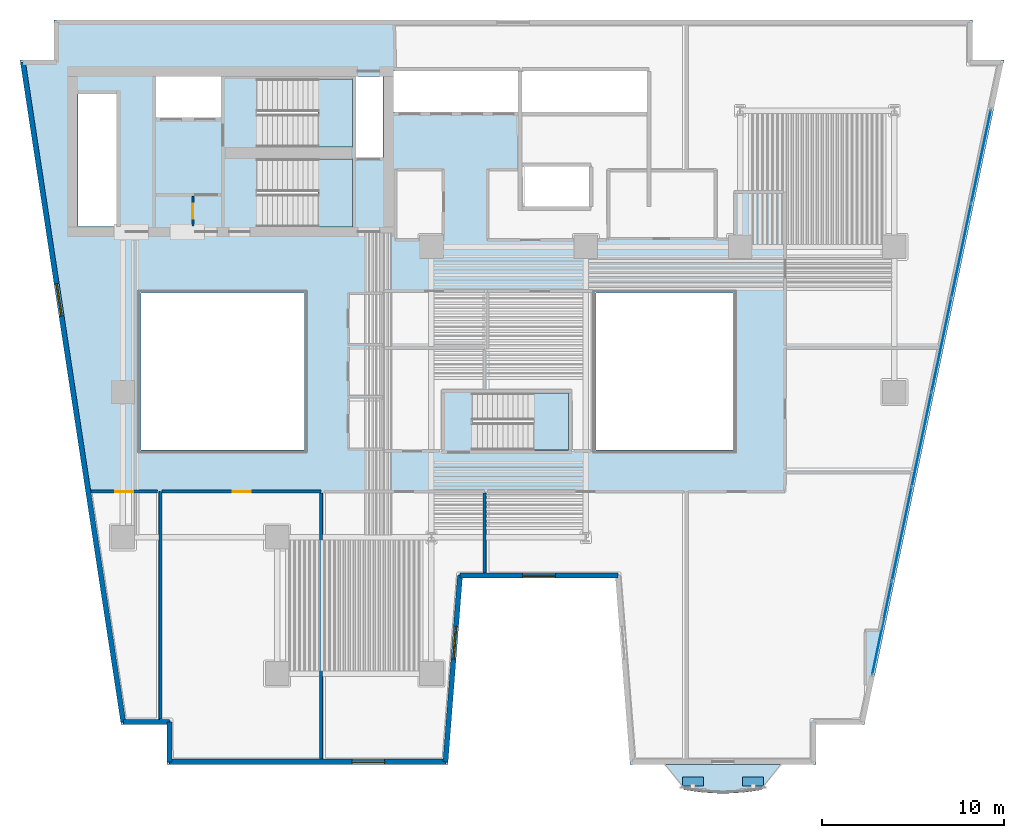
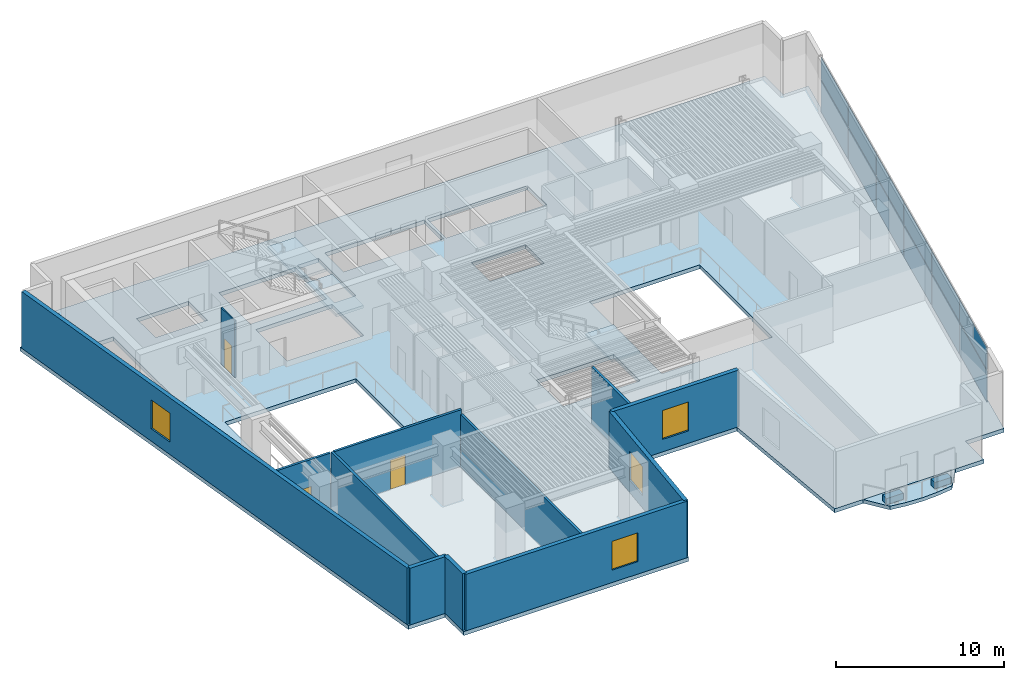
# One storey, part 3 of 12: 14 plates, 12 walls, 5 slabs, 4 windows, 3 doors, 7 openings, 4 elements without a shape of their own.
"""IFC4 building model written with IfcOpenShell, lengths in metres."""

import ifcopenshell
import ifcopenshell.guid

model = None  # the IFC model being written
_history = None  # IfcOwnerHistory: only IFC2X3 demands one
_inside = {}  # id of a spatial element -> (the spatial element, [elements in it])
_under = {}  # id of a project, library or spatial element -> (it, [spatial elements below it])
_declared = {}  # id of a project -> (the project, [libraries it declares])
_typed = {}  # id of a type object -> (the type object, [elements of that type])
_made_of = {}  # id of a material, layer set ... -> (it, [elements and type objects made of it])


def new_model(schema):
    """Start an empty IFC model of exactly this schema.

    Asked for "IFC4X3", IfcOpenShell would pick the latest addendum, in which some entities
    have other attributes; the version numbers below select the first issue.
    IFC2X3 requires an IfcOwnerHistory on every rooted entity: one is made here for all.
    """
    global model, _history
    if schema == "IFC4X3":
        model = ifcopenshell.file(schema_version=(4, 3, 0, 0))
    else:
        model = ifcopenshell.file(schema=schema)
    _inside.clear()
    _under.clear()
    _declared.clear()
    _typed.clear()
    _made_of.clear()
    _history = None
    if model.schema == "IFC2X3":
        org = make("IfcOrganization", Name="unknown")
        user = make(
            "IfcPersonAndOrganization",
            ThePerson=make("IfcPerson", FamilyName="unknown"),
            TheOrganization=org,
        )
        app = make(
            "IfcApplication",
            ApplicationDeveloper=org,
            Version="unknown",
            ApplicationFullName="unknown",
            ApplicationIdentifier="unknown",
        )
        _history = make(
            "IfcOwnerHistory",
            OwningUser=user,
            OwningApplication=app,
            ChangeAction="ADDED",
            CreationDate=0,
        )
    return model


def make(cls, **values):
    """One entity of the class cls with the attributes given. An attribute that is None is left unset."""
    return model.create_entity(
        cls, **{name: value for name, value in values.items() if value is not None}
    )


def rooted(cls, **values):
    """An entity with a GlobalId (a new one), such as an element, a storey or a relation."""
    return make(cls, GlobalId=ifcopenshell.guid.new(), OwnerHistory=_history, **values)


def si_unit(unit_type, name, prefix=None):
    """IfcSIUnit, for example si_unit("LENGTHUNIT", "METRE", prefix="MILLI")."""
    return make("IfcSIUnit", UnitType=unit_type, Prefix=prefix, Name=name)


def assignment(units):
    """IfcUnitAssignment: the units of a project."""
    return None if units is None else make("IfcUnitAssignment", Units=units)


def point(xyz):
    """IfcCartesianPoint."""
    return None if xyz is None else make("IfcCartesianPoint", Coordinates=xyz)


def direction(xyz):
    """IfcDirection."""
    return None if xyz is None else make("IfcDirection", DirectionRatios=xyz)


def frame(location, z_axis=None, x_axis=None):
    """IfcAxis2Placement3D, a coordinate frame: its origin and axes. An axis left out is left unset."""
    return make(
        "IfcAxis2Placement3D",
        Location=point(location),
        Axis=direction(z_axis),
        RefDirection=direction(x_axis),
    )


def frame_2d(location, x_axis=None):
    """IfcAxis2Placement2D, a coordinate frame in the plane: its origin and x axis."""
    return make(
        "IfcAxis2Placement2D", Location=point(location), RefDirection=direction(x_axis)
    )


def origin():
    """The frame at (0, 0, 0) with its axes left unset."""
    return frame((0.0, 0.0, 0.0))


def origin_2d():
    """The frame at (0, 0) in the plane with its x axis left unset."""
    return frame_2d((0.0, 0.0))


def place(relative_to, where):
    """IfcLocalPlacement: puts the frame where relative to a parent placement (None: the world)."""
    return make(
        "IfcLocalPlacement", PlacementRelTo=relative_to, RelativePlacement=where
    )


def context(
    kind, dimensions, precision=None, world=None, true_north=None, identifier=None
):
    """IfcGeometricRepresentationContext, for example the 3D "Model" context."""
    return make(
        "IfcGeometricRepresentationContext",
        ContextIdentifier=identifier,
        ContextType=kind,
        CoordinateSpaceDimension=dimensions,
        Precision=precision,
        WorldCoordinateSystem=world,
        TrueNorth=true_north,
    )


def subcontext(parent, identifier, kind, view, scale=None):
    """IfcGeometricRepresentationSubContext, for example "Body" below "Model"."""
    return make(
        "IfcGeometricRepresentationSubContext",
        ContextIdentifier=identifier,
        ContextType=kind,
        ParentContext=parent,
        TargetScale=scale,
        TargetView=view,
    )


def project(units=None, contexts=None):
    """IfcProject with its units and contexts."""
    return rooted(
        "IfcProject",
        Name="project",
        RepresentationContexts=contexts,
        UnitsInContext=assignment(units),
    )


def spatial(cls, under=None, at=None, **own):
    """A site, building, storey or space (cls), placed at a placement, below another one or the project."""
    s = rooted(cls, ObjectPlacement=at, **own)
    if under is not None:
        _under.setdefault(under.id(), (under, []))[1].append(s)
    return s


def polyline(points):
    """IfcPolyline through the points."""
    return make("IfcPolyline", Points=[point(p) for p in points])


def profile(cls, at=None, kind="AREA", **sizes):
    """A parametric profile (cls). Its sizes go by their IFC names, for example OverallWidth=200.0."""
    return make(cls, ProfileType=kind, Position=at, **sizes)


def rectangle(**sizes):
    """IfcRectangleProfileDef."""
    return profile("IfcRectangleProfileDef", **sizes)


def outline(outer, holes=None, kind="AREA"):
    """IfcArbitraryClosedProfileDef: a profile drawn as a closed curve; with holes, ...WithVoids."""
    if holes is None:
        return make("IfcArbitraryClosedProfileDef", ProfileType=kind, OuterCurve=outer)
    return make(
        "IfcArbitraryProfileDefWithVoids",
        ProfileType=kind,
        OuterCurve=outer,
        InnerCurves=holes,
    )


def extrude(swept, where, along, depth):
    """IfcExtrudedAreaSolid: the profile swept, set in the frame where, extruded along a direction by depth."""
    return make(
        "IfcExtrudedAreaSolid",
        SweptArea=swept,
        Position=where,
        ExtrudedDirection=direction(along),
        Depth=depth,
    )


def shape(context_of_items, identifier, shape_type, items):
    """IfcShapeRepresentation: the items that make up one representation, for example the "Body"."""
    return make(
        "IfcShapeRepresentation",
        ContextOfItems=context_of_items,
        RepresentationIdentifier=identifier,
        RepresentationType=shape_type,
        Items=items,
    )


def material(Name=None, Category=None):
    """IfcMaterial."""
    return make("IfcMaterial", Name=Name, Category=Category)


def layer(
    of_material, thickness, ventilated=None, Name=None, Category=None, Priority=None
):
    """IfcMaterialLayer: one layer of a wall or slab, of a material (None: an air gap)."""
    return make(
        "IfcMaterialLayer",
        Material=of_material,
        LayerThickness=thickness,
        IsVentilated=ventilated,
        Name=Name,
        Category=Category,
        Priority=Priority,
    )


def layer_set(layers, Name=None):
    """IfcMaterialLayerSet."""
    return make("IfcMaterialLayerSet", MaterialLayers=layers, LayerSetName=Name)


def made_of(thing, what):
    """Note that an element or type object is made of a material, layer set ...; save() writes the relation."""
    if what is not None:
        _made_of.setdefault(what.id(), (what, []))[1].append(thing)
    return thing


def type_object(cls, material=None, **own):
    """A type object (cls), such as IfcWallType, which elements share."""
    return made_of(rooted(cls, **own), material)


def element(
    cls,
    number,
    at=None,
    inside=None,
    cuts=None,
    type_object=None,
    material=None,
    context=None,
    identifier="Body",
    shape_type=None,
    held_by="IfcProductDefinitionShape",
    body=None,
    shapes=None,
    **own,
):
    """One element of the class cls, such as IfcWall. Its Tag is "e" and its number.

    at: its placement. inside: the storey or other place that contains it. cuts: it is an
    opening in that element (IfcRelVoidsElement). A single representation is given by context,
    identifier, shape_type and body (its items); several are given by shapes. held_by: the class
    of the entity that holds the representations. save() writes the other relations.
    """
    e = rooted(cls, Tag="e%d" % number, ObjectPlacement=at, **own)
    if body is not None:
        shapes = [shape(context, identifier, shape_type, body)]
    if shapes is not None:
        e.Representation = make(held_by, Representations=shapes)
    if inside is not None:
        _inside.setdefault(inside.id(), (inside, []))[1].append(e)
    if cuts is not None:
        rooted(
            "IfcRelVoidsElement", RelatingBuildingElement=cuts, RelatedOpeningElement=e
        )
    if type_object is not None:
        _typed.setdefault(type_object.id(), (type_object, []))[1].append(e)
    return made_of(e, material)


def fill(opening, filler):
    """IfcRelFillsElement: the door or window that sits in an opening."""
    return rooted(
        "IfcRelFillsElement",
        RelatingOpeningElement=opening,
        RelatedBuildingElement=filler,
    )


def aggregate(whole, parts):
    """IfcRelAggregates: a whole, such as a stair, and the parts it consists of."""
    return rooted("IfcRelAggregates", RelatingObject=whole, RelatedObjects=parts)


def save(model, path):
    """Write the relations noted so far, then the file.

    IfcRelAggregates (storeys below a building ...), IfcRelContainedInSpatialStructure (elements
    in a storey), IfcRelDefinesByType, IfcRelAssociatesMaterial and IfcRelDeclares: one each for
    every whole, place, type object, material and project.
    """
    for whole, parts in _under.values():
        aggregate(whole, parts)
    for where, things in _inside.values():
        rooted(
            "IfcRelContainedInSpatialStructure",
            RelatedElements=things,
            RelatingStructure=where,
        )
    for kind, things in _typed.values():
        rooted("IfcRelDefinesByType", RelatedObjects=things, RelatingType=kind)
    for what, things in _made_of.values():
        rooted("IfcRelAssociatesMaterial", RelatedObjects=things, RelatingMaterial=what)
    for by, libraries in _declared.values():
        rooted("IfcRelDeclares", RelatingContext=by, RelatedDefinitions=libraries)
    model.write(path)


model = new_model("IFC4")

# Units and contexts
model_context = context("Model", 3, precision=1e-05, world=origin(), true_north=direction((0.0, 1.0)))
body_context = subcontext(model_context, "Body", "Model", "MODEL_VIEW")
ifc_project = project(units=[si_unit("LENGTHUNIT", "METRE"), si_unit("AREAUNIT", "SQUARE_METRE"), si_unit("VOLUMEUNIT", "CUBIC_METRE"), si_unit("PLANEANGLEUNIT", "RADIAN"), si_unit("MASSUNIT", "GRAM", prefix="KILO")], contexts=[model_context])

# Site, building, storey
site_placement = place(None, origin())
site = spatial("IfcSite", under=ifc_project, at=site_placement, CompositionType="ELEMENT")
building_placement = place(site_placement, origin())
building = spatial("IfcBuilding", under=site, at=building_placement, Name="Caeloran Harvest Quay", CompositionType="ELEMENT")
storey_placement = place(building_placement, frame((0.0, 0.0, 79.800048828125)))
storey = spatial("IfcBuildingStorey", under=building, at=storey_placement, Name="L18", CompositionType="ELEMENT", Elevation=79.800048828125)

# Slab
ifc_material_1 = material(Name="Concrete C50/60", Category="concrete")
ifc_layer_1 = layer(ifc_material_1, 0.260009765625, Name="Concrete C50/60")
ifc_layer_set_1 = layer_set([ifc_layer_1], Name="Concrete C50/60")
slab_type_1 = type_object("IfcSlabType", Name="BALCONY-BL-260", PredefinedType="FLOOR", material=ifc_layer_set_1)
slab_1_placement = place(storey_placement, frame((0.0, 0.0, -0.260009765625)))
element("IfcSlab", 1, at=slab_1_placement, inside=storey, type_object=slab_type_1, Name="L18 Scalloped Cantilevered Planted Balcony Slab", PredefinedType="FLOOR", context=body_context, shape_type="SweptSolid", body=[
    extrude(outline(polyline([(43.686767578125, 1.090087890625), (42.622802734375, 0.943603515625), (41.55859375, 0.889892578125), (40.494384765625, 0.943603515625), (39.43017578125, 1.090087890625), (38.380859375, 2.5), (44.736083984375, 2.5), (43.686767578125, 1.090087890625)])), origin(), (0.0, 0.0, 1.0), 0.260009765625),
])

# Curtain wall, plates
ifc_material_2 = material(Name="Aluminium 6063-T6 and Low-E Glazing", Category="aluminium")
ifc_layer_2 = layer(ifc_material_2, 0.199951171875, Name="Aluminium 6063-T6 and Low-E Glazing")
ifc_layer_set_2 = layer_set([ifc_layer_2], Name="Aluminium 6063-T6 and Low-E Glazing")
curtain_wall_type = type_object("IfcCurtainWallType", Name="CW-SYS-CW-2", PredefinedType="USERDEFINED", material=ifc_layer_set_2)
curtain_wall_placement = place(storey_placement, origin())
curtain_wall = element("IfcCurtainWall", 2, at=curtain_wall_placement, inside=storey, type_object=curtain_wall_type, Name="L18 Unitised Curtain Wall CW-2 Run 9", ObjectType="CURTAIN_WALL", PredefinedType="USERDEFINED")
ifc_material_3 = material(Name="Low-E Double Glazed Vision Glass Unit", Category="glass")
ifc_layer_3 = layer(ifc_material_3, 0.035888671875, Name="Low-E Double Glazed Vision Glass Unit")
ifc_layer_set_3 = layer_set([ifc_layer_3], Name="Low-E Double Glazed Vision Glass Unit")
plate_type_1 = type_object("IfcPlateType", Name="CW-VISION-PANEL", PredefinedType="CURTAIN_PANEL", material=ifc_layer_set_3)
plate_1_placement = place(storey_placement, frame((55.780029296875, 35.993408203125, 0.080078125), z_axis=(0.0, 0.0, 1.0), x_axis=(-0.205582960081, -0.978639691881, 0.0)))
plate_1 = element("IfcPlate", 3, at=plate_1_placement, type_object=plate_type_1, Name="CW-2 panel 1.1", PredefinedType="CURTAIN_PANEL", context=body_context, shape_type="SweptSolid", body=[
    extrude(rectangle(XDim=5.19873046875, YDim=0.035888671875, at=origin_2d()), origin(), (0.0, 0.0, 1.0), 2.280029296875),
])
plate_2_placement = place(storey_placement, frame((55.780029296875, 35.993408203125, 2.43994140625), z_axis=(0.0, 0.0, 1.0), x_axis=(-0.205582960081, -0.978639691881, 0.0)))
plate_2 = element("IfcPlate", 4, at=plate_2_placement, type_object=plate_type_1, Name="CW-2 panel 1.2", PredefinedType="CURTAIN_PANEL", context=body_context, shape_type="SweptSolid", body=[
    extrude(rectangle(XDim=5.19873046875, YDim=0.035888671875, at=origin_2d()), origin(), (0.0, 0.0, 1.0), 1.594970703125),
])
plate_3_placement = place(storey_placement, frame((54.690673828125, 30.807861328125, 0.080078125), z_axis=(0.0, 0.0, 1.0), x_axis=(-0.205582960081, -0.978639691881, 0.0)))
plate_3 = element("IfcPlate", 5, at=plate_3_placement, type_object=plate_type_1, Name="CW-2 panel 2.1", PredefinedType="CURTAIN_PANEL", context=body_context, shape_type="SweptSolid", body=[
    extrude(rectangle(XDim=5.23876953125, YDim=0.035888671875, at=origin_2d()), origin(), (0.0, 0.0, 1.0), 2.280029296875),
])
plate_4_placement = place(storey_placement, frame((54.690673828125, 30.807861328125, 2.43994140625), z_axis=(0.0, 0.0, 1.0), x_axis=(-0.205582960081, -0.978639691881, 0.0)))
plate_4 = element("IfcPlate", 6, at=plate_4_placement, type_object=plate_type_1, Name="CW-2 panel 2.2", PredefinedType="CURTAIN_PANEL", context=body_context, shape_type="SweptSolid", body=[
    extrude(rectangle(XDim=5.23876953125, YDim=0.035888671875, at=origin_2d()), origin(), (0.0, 0.0, 1.0), 1.594970703125),
])
plate_5_placement = place(storey_placement, frame((53.59716796875, 25.6025390625, 0.080078125), z_axis=(0.0, 0.0, 1.0), x_axis=(-0.205582960081, -0.978639691881, 0.0)))
plate_5 = element("IfcPlate", 7, at=plate_5_placement, type_object=plate_type_1, Name="CW-2 panel 3.1", PredefinedType="CURTAIN_PANEL", context=body_context, shape_type="SweptSolid", body=[
    extrude(rectangle(XDim=5.23876953125, YDim=0.035888671875, at=origin_2d()), origin(), (0.0, 0.0, 1.0), 2.280029296875),
])
plate_6_placement = place(storey_placement, frame((53.59716796875, 25.6025390625, 2.43994140625), z_axis=(0.0, 0.0, 1.0), x_axis=(-0.205582960081, -0.978639691881, 0.0)))
plate_6 = element("IfcPlate", 8, at=plate_6_placement, type_object=plate_type_1, Name="CW-2 panel 3.2", PredefinedType="CURTAIN_PANEL", context=body_context, shape_type="SweptSolid", body=[
    extrude(rectangle(XDim=5.23876953125, YDim=0.035888671875, at=origin_2d()), origin(), (0.0, 0.0, 1.0), 1.594970703125),
])
plate_7_placement = place(storey_placement, frame((52.503662109375, 20.3974609375, 0.080078125), z_axis=(0.0, 0.0, 1.0), x_axis=(-0.205582960081, -0.978639691881, 0.0)))
plate_7 = element("IfcPlate", 9, at=plate_7_placement, type_object=plate_type_1, Name="CW-2 panel 4.1", PredefinedType="CURTAIN_PANEL", context=body_context, shape_type="SweptSolid", body=[
    extrude(rectangle(XDim=5.23876953125, YDim=0.035888671875, at=origin_2d()), origin(), (0.0, 0.0, 1.0), 2.280029296875),
])
plate_8_placement = place(storey_placement, frame((52.503662109375, 20.3974609375, 2.43994140625), z_axis=(0.0, 0.0, 1.0), x_axis=(-0.205582960081, -0.978639691881, 0.0)))
plate_8 = element("IfcPlate", 10, at=plate_8_placement, type_object=plate_type_1, Name="CW-2 panel 4.2", PredefinedType="CURTAIN_PANEL", context=body_context, shape_type="SweptSolid", body=[
    extrude(rectangle(XDim=5.23876953125, YDim=0.035888671875, at=origin_2d()), origin(), (0.0, 0.0, 1.0), 1.594970703125),
])
plate_9_placement = place(storey_placement, frame((51.41015625, 15.192138671875, 0.080078125), z_axis=(0.0, 0.0, 1.0), x_axis=(-0.205582960081, -0.978639691881, 0.0)))
plate_9 = element("IfcPlate", 11, at=plate_9_placement, type_object=plate_type_1, Name="CW-2 panel 5.1", PredefinedType="CURTAIN_PANEL", context=body_context, shape_type="SweptSolid", body=[
    extrude(rectangle(XDim=5.23876953125, YDim=0.035888671875, at=origin_2d()), origin(), (0.0, 0.0, 1.0), 2.280029296875),
])
plate_10_placement = place(storey_placement, frame((51.41015625, 15.192138671875, 2.43994140625), z_axis=(0.0, 0.0, 1.0), x_axis=(-0.205582960081, -0.978639691881, 0.0)))
plate_10 = element("IfcPlate", 12, at=plate_10_placement, type_object=plate_type_1, Name="CW-2 panel 5.2", PredefinedType="CURTAIN_PANEL", context=body_context, shape_type="SweptSolid", body=[
    extrude(rectangle(XDim=5.23876953125, YDim=0.035888671875, at=origin_2d()), origin(), (0.0, 0.0, 1.0), 1.594970703125),
])
plate_11_placement = place(storey_placement, frame((50.321044921875, 10.006591796875, 0.080078125), z_axis=(0.0, 0.0, 1.0), x_axis=(-0.205582960081, -0.978639691881, 0.0)))
plate_11 = element("IfcPlate", 13, at=plate_11_placement, type_object=plate_type_1, Name="CW-2 panel 6.1", PredefinedType="CURTAIN_PANEL", context=body_context, shape_type="SweptSolid", body=[
    extrude(rectangle(XDim=5.19873046875, YDim=0.035888671875, at=origin_2d()), origin(), (0.0, 0.0, 1.0), 2.280029296875),
])
plate_12_placement = place(storey_placement, frame((50.321044921875, 10.006591796875, 2.43994140625), z_axis=(0.0, 0.0, 1.0), x_axis=(-0.205582960081, -0.978639691881, 0.0)))
plate_12 = element("IfcPlate", 14, at=plate_12_placement, type_object=plate_type_1, Name="CW-2 panel 6.2", PredefinedType="CURTAIN_PANEL", context=body_context, shape_type="SweptSolid", body=[
    extrude(rectangle(XDim=5.19873046875, YDim=0.035888671875, at=origin_2d()), origin(), (0.0, 0.0, 1.0), 1.594970703125),
])
aggregate(curtain_wall, [plate_1, plate_2, plate_3, plate_4, plate_5, plate_6, plate_7, plate_8, plate_9, plate_10, plate_11, plate_12])

# Plates
ifc_material_4 = material(Name="Precast concrete C50/60", Category="concrete")
ifc_layer_4 = layer(ifc_material_4, 0.449951171875, Name="Precast concrete C50/60")
ifc_layer_set_4 = layer_set([ifc_layer_4], Name="Precast concrete C50/60")
plate_type_2 = type_object("IfcPlateType", Name="PLANTER-TROUGH-450", PredefinedType="USERDEFINED", material=ifc_layer_set_4)
for number, where, z_axis, x_axis, name in (
    (15, (43.218505859375, 1.554931640625, 0.0), (0.0, 0.0, 1.0), (1.0, 0.0, 0.0), "L18 Balcony Vertical-Greenery Precast PLANTER Trough 1"),
    (16, (39.8984375, 1.554931640625, 0.0), (0.0, 0.0, 1.0), (1.0, 0.0, 0.0), "L18 Balcony Vertical-Greenery Precast PLANTER Trough 2"),
):
    element("IfcPlate", number, at=place(storey_placement, frame(where, z_axis=z_axis, x_axis=x_axis)), inside=storey, type_object=plate_type_2, Name=name, ObjectType="PLANTER", PredefinedType="USERDEFINED", context=body_context, shape_type="SweptSolid", body=[
        extrude(rectangle(XDim=1.14990234375, YDim=0.47998046875, at=origin_2d()), origin(), (0.0, 0.0, 1.0), 0.449951171875),
    ])

# Slab
ifc_layer_5 = layer(ifc_material_1, 0.284912109375, Name="Concrete C50/60")
ifc_layer_set_5 = layer_set([ifc_layer_5], Name="Concrete C50/60")
slab_type_2 = type_object("IfcSlabType", Name="SLAB-FS-285", PredefinedType="FLOOR", material=ifc_layer_set_5)
slab_2_placement = place(storey_placement, frame((0.0, 0.0, -0.28515625)))
element("IfcSlab", 17, at=slab_2_placement, inside=storey, type_object=slab_type_2, Name="L18 Structural Floor Slab", PredefinedType="FLOOR", context=body_context, shape_type="SweptSolid", body=[
    extrude(outline(polyline([(10.93701171875, 2.5), (26.403076171875, 2.5), (27.202880859375, 12.75), (35.640380859375, 12.75), (36.4404296875, 2.5), (46.68701171875, 2.5), (46.68701171875, 4.699951171875), (49.34912109375, 4.699951171875), (57.037841796875, 41.300048828125), (55.300048828125, 41.300048828125), (55.300048828125, 43.5), (4.699951171875, 43.5), (4.699951171875, 41.300048828125), (2.834716796875, 41.300048828125), (8.40234375, 4.699951171875), (10.93701171875, 4.699951171875), (10.93701171875, 2.5)]), holes=[polyline([(18.5, 19.800048828125), (9.5, 19.800048828125), (9.5, 28.449951171875), (18.5, 28.449951171875), (18.5, 19.800048828125)]), polyline([(15.89990234375, 32.10009765625), (15.89990234375, 35.85009765625), (21.14990234375, 35.85009765625), (21.14990234375, 32.10009765625), (15.89990234375, 32.10009765625)]), polyline([(8.159912109375, 32.1201171875), (6.02001953125, 32.1201171875), (6.02001953125, 39.419921875), (8.159912109375, 39.419921875), (8.159912109375, 32.1201171875)]), polyline([(21.35009765625, 35.919921875), (21.35009765625, 40.3798828125), (22.830078125, 40.3798828125), (22.830078125, 35.919921875), (21.35009765625, 35.919921875)]), polyline([(15.89990234375, 40.25), (21.14990234375, 40.25), (21.14990234375, 36.5), (15.89990234375, 36.5), (15.89990234375, 40.25)]), polyline([(13.89990234375, 38.1201171875), (10.320068359375, 38.1201171875), (10.320068359375, 40.3798828125), (13.89990234375, 40.3798828125), (13.89990234375, 38.1201171875)]), polyline([(27.75, 22.949951171875), (33.050048828125, 22.949951171875), (33.050048828125, 19.800048828125), (27.75, 19.800048828125), (27.75, 22.949951171875)]), polyline([(34.550048828125, 19.800048828125), (34.550048828125, 28.449951171875), (42.14990234375, 28.449951171875), (42.14990234375, 19.800048828125), (34.550048828125, 19.800048828125)]), polyline([(34.199951171875, 33.219970703125), (30.47998046875, 33.219970703125), (30.47998046875, 35.429931640625), (34.199951171875, 35.429931640625), (34.199951171875, 33.219970703125)]), polyline([(23.419921875, 38.419921875), (23.419921875, 40.679931640625), (30.280029296875, 40.679931640625), (30.280029296875, 38.419921875), (23.419921875, 38.419921875)]), polyline([(30.47998046875, 38.419921875), (30.47998046875, 40.679931640625), (37.3798828125, 40.679931640625), (37.3798828125, 38.419921875), (30.47998046875, 38.419921875)])]), origin(), (0.0, 0.0, 1.0), 0.28515625),
])

# Stair, slab
stair_type_1 = type_object("IfcStairType", Name="STAIR-STC-180", PredefinedType="HALF_TURN_STAIR", material=ifc_material_1)
stair_1_placement = place(storey_placement, origin())
stair_1 = element("IfcStair", 18, at=stair_1_placement, inside=storey, type_object=stair_type_1, Name="L18 Core Pressurized Exit Stair ST-C1", PredefinedType="HALF_TURN_STAIR")
ifc_layer_6 = layer(ifc_material_1, 0.219970703125, Name="Concrete C50/60")
ifc_layer_set_6 = layer_set([ifc_layer_6], Name="Concrete C50/60")
slab_type_3 = type_object("IfcSlabType", Name="STAIR-LANDING-220", PredefinedType="LANDING", material=ifc_layer_set_6)
slab_3_placement = place(storey_placement, frame((0.0, 0.0, 2.0)))
slab_3 = element("IfcSlab", 19, at=slab_3_placement, type_object=slab_type_3, Name="ST-C1 landing 1", PredefinedType="LANDING", context=body_context, shape_type="SweptSolid", body=[
    extrude(outline(polyline([(19.260009765625, 36.5), (21.14990234375, 36.5), (21.14990234375, 40.25), (19.260009765625, 40.25), (19.260009765625, 36.5)])), origin(), (0.0, 0.0, 1.0), 0.199951171875),
])
aggregate(stair_1, [slab_3])

stair_2_placement = place(storey_placement, origin())
stair_2 = element("IfcStair", 20, at=stair_2_placement, inside=storey, type_object=stair_type_1, Name="L18 Core Pressurized Exit Stair ST-C2", PredefinedType="HALF_TURN_STAIR")
slab_4_placement = place(storey_placement, frame((0.0, 0.0, 2.0)))
slab_4 = element("IfcSlab", 21, at=slab_4_placement, type_object=slab_type_3, Name="ST-C2 landing 1", PredefinedType="LANDING", context=body_context, shape_type="SweptSolid", body=[
    extrude(outline(polyline([(19.260009765625, 32.10009765625), (21.14990234375, 32.10009765625), (21.14990234375, 35.85009765625), (19.260009765625, 35.85009765625), (19.260009765625, 32.10009765625)])), origin(), (0.0, 0.0, 1.0), 0.199951171875),
])
aggregate(stair_2, [slab_4])

stair_type_2 = type_object("IfcStairType", Name="STAIR-STW-150", PredefinedType="HALF_TURN_STAIR", material=ifc_material_1)
stair_3_placement = place(storey_placement, origin())
stair_3 = element("IfcStair", 22, at=stair_3_placement, inside=storey, type_object=stair_type_2, Name="L18 East Wing Protected Exit Stair ST-W1", PredefinedType="HALF_TURN_STAIR")
slab_5_placement = place(storey_placement, frame((0.0, 0.0, 2.0)))
slab_5 = element("IfcSlab", 23, at=slab_5_placement, type_object=slab_type_3, Name="ST-W1 landing 1", PredefinedType="LANDING", context=body_context, shape_type="SweptSolid", body=[
    extrude(outline(polyline([(31.110107421875, 19.800048828125), (33.050048828125, 19.800048828125), (33.050048828125, 22.949951171875), (31.110107421875, 22.949951171875), (31.110107421875, 19.800048828125)])), origin(), (0.0, 0.0, 1.0), 0.199951171875),
])
aggregate(stair_3, [slab_5])

# Walls
ifc_layer_7 = layer(ifc_material_4, 0.280029296875, Name="Precast concrete C50/60")
ifc_layer_set_7 = layer_set([ifc_layer_7], Name="Precast concrete C50/60")
wall_type_1 = type_object("IfcWallType", Name="ENV-WALL-EW-280", PredefinedType="STANDARD", material=ifc_layer_set_7)
wall_1_placement = place(storey_placement, frame((11.076904296875, 2.639892578125, 0.0), z_axis=(0.0, 0.0, 1.0), x_axis=(0.0, 1.0, 0.0)))
element("IfcWall", 24, at=wall_1_placement, inside=storey, type_object=wall_type_1, Name="L18 Exterior Precast Concrete Facade Wall 1", PredefinedType="STANDARD", context=body_context, shape_type="SweptSolid", body=[
    extrude(rectangle(XDim=2.2001953125, YDim=0.280029296875, at=frame_2d((1.10009765625, 0.0))), origin(), (0.0, 0.0, 1.0), 4.114990234375),
])
wall_2_placement = place(storey_placement, frame((11.076904296875, 4.840087890625, 0.0), z_axis=(0.0, 0.0, 1.0), x_axis=(-1.0, 0.0, 0.0)))
element("IfcWall", 25, at=wall_2_placement, inside=storey, type_object=wall_type_1, Name="L18 Exterior Precast Concrete Facade Wall 2", PredefinedType="STANDARD", context=body_context, shape_type="SweptSolid", body=[
    extrude(rectangle(XDim=2.55419921875, YDim=0.280029296875, at=frame_2d((1.277099609375, 0.0))), origin(), (0.0, 0.0, 1.0), 4.114990234375),
])

# Wall, opening, window
wall_3_placement = place(storey_placement, frame((8.522705078125, 4.840087890625, 0.0), z_axis=(0.0, 0.0, 1.0), x_axis=(-0.150394554312, 0.988626055712, 0.0)))
wall_3 = element("IfcWall", 26, at=wall_3_placement, inside=storey, type_object=wall_type_1, Name="L18 Exterior Precast Concrete Facade Wall 3", PredefinedType="STANDARD", context=body_context, shape_type="SweptSolid", body=[
    extrude(rectangle(XDim=36.73779296875, YDim=0.280029296875, at=frame_2d((18.368896484375, 0.0))), origin(), (0.0, 0.0, 1.0), 4.114990234375),
])
opening_1_placement = place(wall_3_placement, frame((22.612060546875, 0.0, 0.89990234375)))
opening_1 = element("IfcOpeningElement", 27, at=opening_1_placement, cuts=wall_3, Name="Opening W-01", PredefinedType="OPENING", context=body_context, shape_type="SweptSolid", body=[
    extrude(rectangle(XDim=1.800048828125, YDim=2.10009765625, at=frame_2d((0.89990234375, 1.050048828125))), frame((0.0, 0.14990234375, 0.0), z_axis=(0.0, -1.0, 0.0), x_axis=(1.0, 0.0, 0.0)), (0.0, 0.0, 1.0), 0.300048828125),
])
ifc_material_5 = material(Name="Aluminium-Framed Low-E Laminated Glass", Category="aluminium")
window_type = type_object("IfcWindowType", Name="WIN-W-01", PartitioningType="SINGLE_PANEL", PredefinedType="WINDOW", material=ifc_material_5)
window_1_placement = place(opening_1_placement, origin())
window_1 = element("IfcWindow", 28, at=window_1_placement, inside=storey, type_object=window_type, Name="L18 Facade Punched Window W-01", OverallHeight=2.10009765625, OverallWidth=1.800048828125, PartitioningType="SINGLE_PANEL", PredefinedType="WINDOW", context=body_context, shape_type="SweptSolid", body=[
    extrude(rectangle(XDim=1.800048828125, YDim=2.10009765625, at=frame_2d((0.89990234375, 1.050048828125))), frame((0.0, 0.030029296875, 0.0), z_axis=(0.0, -1.0, 0.0), x_axis=(1.0, 0.0, 0.0)), (0.0, 0.0, 1.0), 0.06005859375),
])
fill(opening_1, window_1)

wall_4_placement = place(storey_placement, frame((35.77001953125, 12.889892578125, 0.0), z_axis=(0.0, 0.0, 1.0), x_axis=(-1.0, 0.0, 0.0)))
wall_4 = element("IfcWall", 29, at=wall_4_placement, inside=storey, type_object=wall_type_1, Name="L18 Exterior Precast Concrete Facade Wall 14", PredefinedType="STANDARD", context=body_context, shape_type="SweptSolid", body=[
    extrude(rectangle(XDim=8.696533203125, YDim=0.280029296875, at=frame_2d((4.34814453125, 0.0))), origin(), (0.0, 0.0, 1.0), 4.114990234375),
])
opening_2_placement = place(wall_4_placement, frame((3.447998046875, 0.0, 0.89990234375)))
opening_2 = element("IfcOpeningElement", 30, at=opening_2_placement, cuts=wall_4, Name="Opening W-01", PredefinedType="OPENING", context=body_context, shape_type="SweptSolid", body=[
    extrude(rectangle(XDim=1.800048828125, YDim=2.10009765625, at=frame_2d((0.89990234375, 1.050048828125))), frame((0.0, 0.14990234375, 0.0), z_axis=(0.0, -1.0, 0.0), x_axis=(1.0, 0.0, 0.0)), (0.0, 0.0, 1.0), 0.300048828125),
])
window_2_placement = place(opening_2_placement, origin())
window_2 = element("IfcWindow", 31, at=window_2_placement, inside=storey, type_object=window_type, Name="L18 Facade Punched Window W-01", OverallHeight=2.10009765625, OverallWidth=1.800048828125, PartitioningType="SINGLE_PANEL", PredefinedType="WINDOW", context=body_context, shape_type="SweptSolid", body=[
    extrude(rectangle(XDim=1.800048828125, YDim=2.10009765625, at=frame_2d((0.89990234375, 1.050048828125))), frame((0.0, 0.030029296875, 0.0), z_axis=(0.0, -1.0, 0.0), x_axis=(1.0, 0.0, 0.0)), (0.0, 0.0, 1.0), 0.06005859375),
])
fill(opening_2, window_2)

wall_5_placement = place(storey_placement, frame((27.073486328125, 12.889892578125, 0.0), z_axis=(0.0, 0.0, 1.0), x_axis=(-0.077816860153, -0.996967670627, 0.0)))
wall_5 = element("IfcWall", 32, at=wall_5_placement, inside=storey, type_object=wall_type_1, Name="L18 Exterior Precast Concrete Facade Wall 15", PredefinedType="STANDARD", context=body_context, shape_type="SweptSolid", body=[
    extrude(rectangle(XDim=10.28125, YDim=0.280029296875, at=frame_2d((5.140625, 0.0))), origin(), (0.0, 0.0, 1.0), 4.114990234375),
])
opening_3_placement = place(wall_5_placement, frame((2.801025390625, 0.0, 0.89990234375)))
opening_3 = element("IfcOpeningElement", 33, at=opening_3_placement, cuts=wall_5, Name="Opening W-01", PredefinedType="OPENING", context=body_context, shape_type="SweptSolid", body=[
    extrude(rectangle(XDim=1.800048828125, YDim=2.10009765625, at=frame_2d((0.89990234375, 1.050048828125))), frame((0.0, 0.14990234375, 0.0), z_axis=(0.0, -1.0, 0.0), x_axis=(1.0, 0.0, 0.0)), (0.0, 0.0, 1.0), 0.300048828125),
])
window_3_placement = place(opening_3_placement, origin())
window_3 = element("IfcWindow", 34, at=window_3_placement, inside=storey, type_object=window_type, Name="L18 Facade Punched Window W-01", OverallHeight=2.10009765625, OverallWidth=1.800048828125, PartitioningType="SINGLE_PANEL", PredefinedType="WINDOW", context=body_context, shape_type="SweptSolid", body=[
    extrude(rectangle(XDim=1.800048828125, YDim=2.10009765625, at=frame_2d((0.89990234375, 1.050048828125))), frame((0.0, 0.030029296875, 0.0), z_axis=(0.0, -1.0, 0.0), x_axis=(1.0, 0.0, 0.0)), (0.0, 0.0, 1.0), 0.06005859375),
])
fill(opening_3, window_3)

wall_6_placement = place(storey_placement, frame((26.2734375, 2.639892578125, 0.0), z_axis=(0.0, 0.0, 1.0), x_axis=(-1.0, 0.0, 0.0)))
wall_6 = element("IfcWall", 35, at=wall_6_placement, inside=storey, type_object=wall_type_1, Name="L18 Exterior Precast Concrete Facade Wall 16", PredefinedType="STANDARD", context=body_context, shape_type="SweptSolid", body=[
    extrude(rectangle(XDim=15.196533203125, YDim=0.280029296875, at=frame_2d((7.59814453125, 0.0))), origin(), (0.0, 0.0, 1.0), 4.114990234375),
])
opening_4_placement = place(wall_6_placement, frame((3.35498046875, 0.0, 0.89990234375)))
opening_4 = element("IfcOpeningElement", 36, at=opening_4_placement, cuts=wall_6, Name="Opening W-01", PredefinedType="OPENING", context=body_context, shape_type="SweptSolid", body=[
    extrude(rectangle(XDim=1.800048828125, YDim=2.10009765625, at=frame_2d((0.89990234375, 1.050048828125))), frame((0.0, 0.14990234375, 0.0), z_axis=(0.0, -1.0, 0.0), x_axis=(1.0, 0.0, 0.0)), (0.0, 0.0, 1.0), 0.300048828125),
])
window_4_placement = place(opening_4_placement, origin())
window_4 = element("IfcWindow", 37, at=window_4_placement, inside=storey, type_object=window_type, Name="L18 Facade Punched Window W-01", OverallHeight=2.10009765625, OverallWidth=1.800048828125, PartitioningType="SINGLE_PANEL", PredefinedType="WINDOW", context=body_context, shape_type="SweptSolid", body=[
    extrude(rectangle(XDim=1.800048828125, YDim=2.10009765625, at=frame_2d((0.89990234375, 1.050048828125))), frame((0.0, 0.030029296875, 0.0), z_axis=(0.0, -1.0, 0.0), x_axis=(1.0, 0.0, 0.0)), (0.0, 0.0, 1.0), 0.06005859375),
])
fill(opening_4, window_4)

# Wall, opening, door
ifc_material_6 = material(Name="Fire-Resisting Gypsum Core Riser Partition", Category="gypsum")
ifc_layer_8 = layer(ifc_material_6, 0.10009765625, Name="Fire-Resisting Gypsum Core Riser Partition")
ifc_layer_set_8 = layer_set([ifc_layer_8], Name="Fire-Resisting Gypsum Core Riser Partition")
wall_type_2 = type_object("IfcWallType", Name="INT-WALL-PW-100", PredefinedType="PARTITIONING", material=ifc_layer_set_8)
wall_7_placement = place(storey_placement, frame((12.360107421875, 32.159912109375, 0.0), z_axis=(0.0, 0.0, 1.0), x_axis=(0.0, 1.0, 0.0)))
wall_7 = element("IfcWall", 38, at=wall_7_placement, inside=storey, type_object=wall_type_2, Name="L18 Core Store Partition Wall", PredefinedType="PARTITIONING", context=body_context, shape_type="SweptSolid", body=[
    extrude(rectangle(XDim=1.6201171875, YDim=0.10009765625, at=frame_2d((0.81005859375, 0.0))), origin(), (0.0, 0.0, 1.0), 4.114990234375),
])
opening_5_placement = place(wall_7_placement, frame((0.3798828125, 0.0, 0.0)))
opening_5 = element("IfcOpeningElement", 39, at=opening_5_placement, cuts=wall_7, Name="Opening SV-01", PredefinedType="OPENING", context=body_context, shape_type="SweptSolid", body=[
    extrude(rectangle(XDim=0.85009765625, YDim=2.10009765625, at=frame_2d((0.425048828125, 1.050048828125))), frame((0.0, 0.06005859375, 0.0), z_axis=(0.0, -1.0, 0.0), x_axis=(1.0, 0.0, 0.0)), (0.0, 0.0, 1.0), 0.1201171875),
])
ifc_material_7 = material(Name="Galvanized Painted Steel", Category="steel")
door_type_1 = type_object("IfcDoorType", Name="INTDOOR-SV-01", OperationType="NOTDEFINED", PredefinedType="DOOR", material=ifc_material_7)
door_1_placement = place(opening_5_placement, origin())
door_1 = element("IfcDoor", 40, at=door_1_placement, inside=storey, type_object=door_type_1, Name="L18 Core Service Room Access Door", OperationType="SINGLE_SWING_RIGHT", OverallHeight=2.10009765625, OverallWidth=0.85009765625, PredefinedType="DOOR", context=body_context, shape_type="SweptSolid", body=[
    extrude(rectangle(XDim=0.85009765625, YDim=2.10009765625, at=frame_2d((0.425048828125, 1.050048828125))), frame((0.0, 0.02490234375, 0.0), z_axis=(0.0, -1.0, 0.0), x_axis=(1.0, 0.0, 0.0)), (0.0, 0.0, 1.0), 0.050048828125),
])
fill(opening_5, door_1)

# Wall
ifc_material_8 = material(Name="Autoclaved Aerated Concrete Blockwork", Category="masonry")
ifc_layer_9 = layer(ifc_material_8, 0.1650390625, Name="Autoclaved Aerated Concrete Blockwork")
ifc_layer_set_9 = layer_set([ifc_layer_9], Name="Autoclaved Aerated Concrete Blockwork")
wall_type_3 = type_object("IfcWallType", Name="INT-WALL-PW-165", PredefinedType="PARTITIONING", material=ifc_layer_set_9)
wall_8_placement = place(storey_placement, frame((10.580078125, 4.985107421875, 0.0), z_axis=(0.0, 0.0, 1.0), x_axis=(0.0, 1.0, 0.0)))
element("IfcWall", 41, at=wall_8_placement, inside=storey, type_object=wall_type_3, Name="Culinary Harvest Tasting Kitchen Partition Wall", PredefinedType="PARTITIONING", context=body_context, shape_type="SweptSolid", body=[
    extrude(rectangle(XDim=12.534912109375, YDim=0.1650390625, at=frame_2d((6.267578125, 0.0))), origin(), (0.0, 0.0, 1.0), 4.114990234375),
])

# Wall, opening, door
wall_9_placement = place(storey_placement, frame((10.66748046875, 17.52001953125, 0.0), z_axis=(0.0, 0.0, 1.0), x_axis=(1.0, 0.0, 0.0)))
wall_9 = element("IfcWall", 42, at=wall_9_placement, inside=storey, type_object=wall_type_3, Name="Culinary Harvest Tasting Kitchen Partition Wall", PredefinedType="PARTITIONING", context=body_context, shape_type="SweptSolid", body=[
    extrude(rectangle(XDim=8.75244140625, YDim=0.1650390625, at=frame_2d((4.376220703125, 0.0))), origin(), (0.0, 0.0, 1.0), 4.114990234375),
])
opening_6_placement = place(wall_9_placement, frame((3.876220703125, 0.0, 0.0)))
opening_6 = element("IfcOpeningElement", 43, at=opening_6_placement, cuts=wall_9, Name="Opening ID-01", PredefinedType="OPENING", context=body_context, shape_type="SweptSolid", body=[
    extrude(rectangle(XDim=1.0, YDim=2.14990234375, at=frame_2d((0.5, 1.074951171875))), frame((0.0, 0.092529296875, 0.0), z_axis=(0.0, -1.0, 0.0), x_axis=(1.0, 0.0, 0.0)), (0.0, 0.0, 1.0), 0.18505859375),
])
ifc_material_9 = material(Name="FSC Solid-Core Ash Timber and Acoustic Seal", Category="wood")
door_type_2 = type_object("IfcDoorType", Name="INTDOOR-ID-01", OperationType="NOTDEFINED", PredefinedType="DOOR", material=ifc_material_9)
door_2_placement = place(opening_6_placement, origin())
door_2 = element("IfcDoor", 44, at=door_2_placement, inside=storey, type_object=door_type_2, Name="Culinary Harvest Tasting Kitchen Access Door", OperationType="SINGLE_SWING_LEFT", OverallHeight=2.14990234375, OverallWidth=1.0, PredefinedType="DOOR", context=body_context, shape_type="SweptSolid", body=[
    extrude(rectangle(XDim=1.0, YDim=2.14990234375, at=frame_2d((0.5, 1.074951171875))), frame((0.0, 0.02490234375, 0.0), z_axis=(0.0, -1.0, 0.0), x_axis=(1.0, 0.0, 0.0)), (0.0, 0.0, 1.0), 0.050048828125),
])
fill(opening_6, door_2)

# Walls
wall_10_placement = place(storey_placement, frame((19.419921875, 17.4326171875, 0.0), z_axis=(0.0, 0.0, 1.0), x_axis=(0.0, -1.0, 0.0)))
element("IfcWall", 45, at=wall_10_placement, inside=storey, type_object=wall_type_3, Name="Culinary Harvest Tasting Kitchen Partition Wall", PredefinedType="PARTITIONING", context=body_context, shape_type="SweptSolid", body=[
    extrude(rectangle(XDim=14.647705078125, YDim=0.1650390625, at=frame_2d((7.32373046875, 0.0))), origin(), (0.0, 0.0, 1.0), 3.800048828125),
])
wall_11_placement = place(storey_placement, frame((28.419921875, 17.4326171875, 0.0), z_axis=(0.0, 0.0, 1.0), x_axis=(0.0, -1.0, 0.0)))
element("IfcWall", 46, at=wall_11_placement, inside=storey, type_object=wall_type_3, Name="Botanical Workshop Studio Partition Wall", PredefinedType="PARTITIONING", context=body_context, shape_type="SweptSolid", body=[
    extrude(rectangle(XDim=4.397705078125, YDim=0.1650390625, at=frame_2d((2.19873046875, 0.0))), origin(), (0.0, 0.0, 1.0), 4.114990234375),
])

# Wall, opening, door
wall_12_placement = place(storey_placement, frame((6.740478515625, 17.52001953125, 0.0), z_axis=(0.0, 0.0, 1.0), x_axis=(1.0, 0.0, 0.0)))
wall_12 = element("IfcWall", 47, at=wall_12_placement, inside=storey, type_object=wall_type_3, Name="Gastronomy Seminar Room Partition Wall", PredefinedType="PARTITIONING", context=body_context, shape_type="SweptSolid", body=[
    extrude(rectangle(XDim=3.679443359375, YDim=0.1650390625, at=frame_2d((1.83984375, 0.0))), origin(), (0.0, 0.0, 1.0), 4.114990234375),
])
opening_7_placement = place(wall_12_placement, frame((1.33984375, 0.0, 0.0)))
opening_7 = element("IfcOpeningElement", 48, at=opening_7_placement, cuts=wall_12, Name="Opening ID-01", PredefinedType="OPENING", context=body_context, shape_type="SweptSolid", body=[
    extrude(rectangle(XDim=1.0, YDim=2.14990234375, at=frame_2d((0.5, 1.074951171875))), frame((0.0, 0.092529296875, 0.0), z_axis=(0.0, -1.0, 0.0), x_axis=(1.0, 0.0, 0.0)), (0.0, 0.0, 1.0), 0.18505859375),
])
door_3_placement = place(opening_7_placement, origin())
door_3 = element("IfcDoor", 49, at=door_3_placement, inside=storey, type_object=door_type_2, Name="Gastronomy Seminar Room Access Door", OperationType="SINGLE_SWING_RIGHT", OverallHeight=2.14990234375, OverallWidth=1.0, PredefinedType="DOOR", context=body_context, shape_type="SweptSolid", body=[
    extrude(rectangle(XDim=1.0, YDim=2.14990234375, at=frame_2d((0.5, 1.074951171875))), frame((0.0, 0.02490234375, 0.0), z_axis=(0.0, -1.0, 0.0), x_axis=(1.0, 0.0, 0.0)), (0.0, 0.0, 1.0), 0.050048828125),
])
fill(opening_7, door_3)

save(model, "model.ifc")
